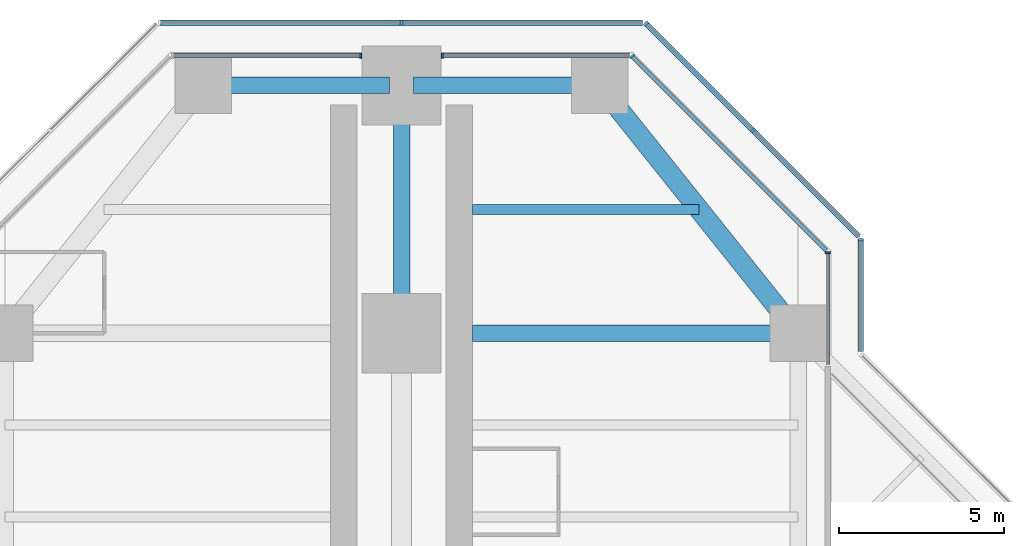
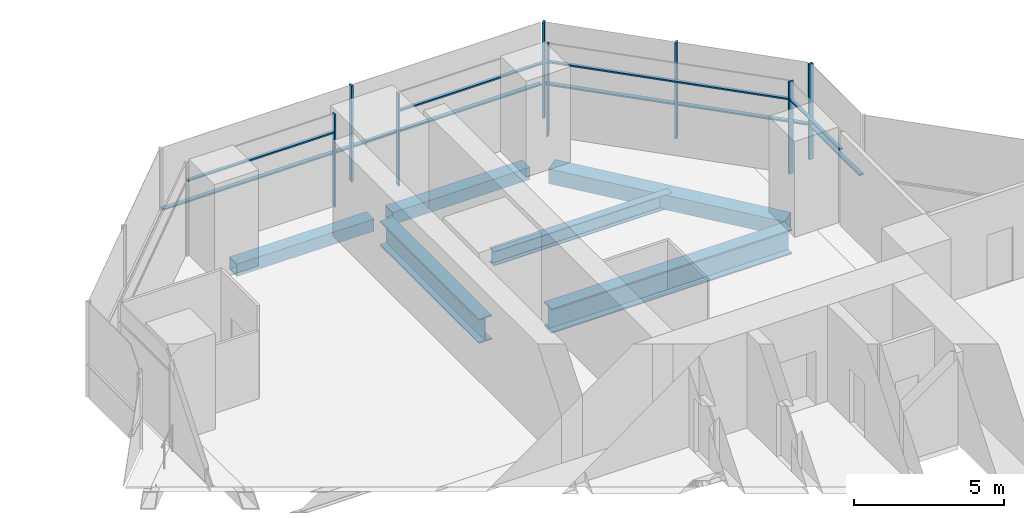
# One storey, part 10 of 20: 17 members, 6 beams, 7 elements without a shape of their own.
"""IFC4 building model written with IfcOpenShell, lengths in metres."""

import ifcopenshell
import ifcopenshell.guid

model = None  # the IFC model being written
_history = None  # IfcOwnerHistory: only IFC2X3 demands one
_inside = {}  # id of a spatial element -> (the spatial element, [elements in it])
_under = {}  # id of a project, library or spatial element -> (it, [spatial elements below it])
_declared = {}  # id of a project -> (the project, [libraries it declares])
_typed = {}  # id of a type object -> (the type object, [elements of that type])
_made_of = {}  # id of a material, layer set ... -> (it, [elements and type objects made of it])


def new_model(schema):
    """Start an empty IFC model of exactly this schema.

    Asked for "IFC4X3", IfcOpenShell would pick the latest addendum, in which some entities
    have other attributes; the version numbers below select the first issue.
    IFC2X3 requires an IfcOwnerHistory on every rooted entity: one is made here for all.
    """
    global model, _history
    if schema == "IFC4X3":
        model = ifcopenshell.file(schema_version=(4, 3, 0, 0))
    else:
        model = ifcopenshell.file(schema=schema)
    _inside.clear()
    _under.clear()
    _declared.clear()
    _typed.clear()
    _made_of.clear()
    _history = None
    if model.schema == "IFC2X3":
        org = make("IfcOrganization", Name="unknown")
        user = make(
            "IfcPersonAndOrganization",
            ThePerson=make("IfcPerson", FamilyName="unknown"),
            TheOrganization=org,
        )
        app = make(
            "IfcApplication",
            ApplicationDeveloper=org,
            Version="unknown",
            ApplicationFullName="unknown",
            ApplicationIdentifier="unknown",
        )
        _history = make(
            "IfcOwnerHistory",
            OwningUser=user,
            OwningApplication=app,
            ChangeAction="ADDED",
            CreationDate=0,
        )
    return model


def make(cls, **values):
    """One entity of the class cls with the attributes given. An attribute that is None is left unset."""
    return model.create_entity(
        cls, **{name: value for name, value in values.items() if value is not None}
    )


def rooted(cls, **values):
    """An entity with a GlobalId (a new one), such as an element, a storey or a relation."""
    return make(cls, GlobalId=ifcopenshell.guid.new(), OwnerHistory=_history, **values)


def si_unit(unit_type, name, prefix=None):
    """IfcSIUnit, for example si_unit("LENGTHUNIT", "METRE", prefix="MILLI")."""
    return make("IfcSIUnit", UnitType=unit_type, Prefix=prefix, Name=name)


def assignment(units):
    """IfcUnitAssignment: the units of a project."""
    return None if units is None else make("IfcUnitAssignment", Units=units)


def point(xyz):
    """IfcCartesianPoint."""
    return None if xyz is None else make("IfcCartesianPoint", Coordinates=xyz)


def direction(xyz):
    """IfcDirection."""
    return None if xyz is None else make("IfcDirection", DirectionRatios=xyz)


def frame(location, z_axis=None, x_axis=None):
    """IfcAxis2Placement3D, a coordinate frame: its origin and axes. An axis left out is left unset."""
    return make(
        "IfcAxis2Placement3D",
        Location=point(location),
        Axis=direction(z_axis),
        RefDirection=direction(x_axis),
    )


def frame_2d(location, x_axis=None):
    """IfcAxis2Placement2D, a coordinate frame in the plane: its origin and x axis."""
    return make(
        "IfcAxis2Placement2D", Location=point(location), RefDirection=direction(x_axis)
    )


def origin():
    """The frame at (0, 0, 0) with its axes left unset."""
    return frame((0.0, 0.0, 0.0))


def origin_2d():
    """The frame at (0, 0) in the plane with its x axis left unset."""
    return frame_2d((0.0, 0.0))


def place(relative_to, where):
    """IfcLocalPlacement: puts the frame where relative to a parent placement (None: the world)."""
    return make(
        "IfcLocalPlacement", PlacementRelTo=relative_to, RelativePlacement=where
    )


def context(
    kind, dimensions, precision=None, world=None, true_north=None, identifier=None
):
    """IfcGeometricRepresentationContext, for example the 3D "Model" context."""
    return make(
        "IfcGeometricRepresentationContext",
        ContextIdentifier=identifier,
        ContextType=kind,
        CoordinateSpaceDimension=dimensions,
        Precision=precision,
        WorldCoordinateSystem=world,
        TrueNorth=true_north,
    )


def subcontext(parent, identifier, kind, view, scale=None):
    """IfcGeometricRepresentationSubContext, for example "Body" below "Model"."""
    return make(
        "IfcGeometricRepresentationSubContext",
        ContextIdentifier=identifier,
        ContextType=kind,
        ParentContext=parent,
        TargetScale=scale,
        TargetView=view,
    )


def project(units=None, contexts=None):
    """IfcProject with its units and contexts."""
    return rooted(
        "IfcProject",
        Name="project",
        RepresentationContexts=contexts,
        UnitsInContext=assignment(units),
    )


def spatial(cls, under=None, at=None, **own):
    """A site, building, storey or space (cls), placed at a placement, below another one or the project."""
    s = rooted(cls, ObjectPlacement=at, **own)
    if under is not None:
        _under.setdefault(under.id(), (under, []))[1].append(s)
    return s


def profile(cls, at=None, kind="AREA", **sizes):
    """A parametric profile (cls). Its sizes go by their IFC names, for example OverallWidth=200.0."""
    return make(cls, ProfileType=kind, Position=at, **sizes)


def rectangle(**sizes):
    """IfcRectangleProfileDef."""
    return profile("IfcRectangleProfileDef", **sizes)


def hollow_rectangle(**sizes):
    """IfcRectangleHollowProfileDef."""
    return profile("IfcRectangleHollowProfileDef", **sizes)


def i_section(**sizes):
    """IfcIShapeProfileDef."""
    return profile("IfcIShapeProfileDef", **sizes)


def extrude(swept, where, along, depth):
    """IfcExtrudedAreaSolid: the profile swept, set in the frame where, extruded along a direction by depth."""
    return make(
        "IfcExtrudedAreaSolid",
        SweptArea=swept,
        Position=where,
        ExtrudedDirection=direction(along),
        Depth=depth,
    )


def shape(context_of_items, identifier, shape_type, items):
    """IfcShapeRepresentation: the items that make up one representation, for example the "Body"."""
    return make(
        "IfcShapeRepresentation",
        ContextOfItems=context_of_items,
        RepresentationIdentifier=identifier,
        RepresentationType=shape_type,
        Items=items,
    )


def material(Name=None, Category=None):
    """IfcMaterial."""
    return make("IfcMaterial", Name=Name, Category=Category)


def material_profile(
    of_material, cross_section, Name=None, Category=None, Priority=None
):
    """IfcMaterialProfile: a cross section and its material."""
    return make(
        "IfcMaterialProfile",
        Name=Name,
        Material=of_material,
        Profile=cross_section,
        Priority=Priority,
        Category=Category,
    )


def profile_set(profiles, Name=None, composite=None):
    """IfcMaterialProfileSet."""
    return make(
        "IfcMaterialProfileSet",
        Name=Name,
        MaterialProfiles=profiles,
        CompositeProfile=composite,
    )


def made_of(thing, what):
    """Note that an element or type object is made of a material, layer set ...; save() writes the relation."""
    if what is not None:
        _made_of.setdefault(what.id(), (what, []))[1].append(thing)
    return thing


def type_object(cls, material=None, **own):
    """A type object (cls), such as IfcWallType, which elements share."""
    return made_of(rooted(cls, **own), material)


def element(
    cls,
    number,
    at=None,
    inside=None,
    cuts=None,
    type_object=None,
    material=None,
    context=None,
    identifier="Body",
    shape_type=None,
    held_by="IfcProductDefinitionShape",
    body=None,
    shapes=None,
    **own,
):
    """One element of the class cls, such as IfcWall. Its Tag is "e" and its number.

    at: its placement. inside: the storey or other place that contains it. cuts: it is an
    opening in that element (IfcRelVoidsElement). A single representation is given by context,
    identifier, shape_type and body (its items); several are given by shapes. held_by: the class
    of the entity that holds the representations. save() writes the other relations.
    """
    e = rooted(cls, Tag="e%d" % number, ObjectPlacement=at, **own)
    if body is not None:
        shapes = [shape(context, identifier, shape_type, body)]
    if shapes is not None:
        e.Representation = make(held_by, Representations=shapes)
    if inside is not None:
        _inside.setdefault(inside.id(), (inside, []))[1].append(e)
    if cuts is not None:
        rooted(
            "IfcRelVoidsElement", RelatingBuildingElement=cuts, RelatedOpeningElement=e
        )
    if type_object is not None:
        _typed.setdefault(type_object.id(), (type_object, []))[1].append(e)
    return made_of(e, material)


def aggregate(whole, parts):
    """IfcRelAggregates: a whole, such as a stair, and the parts it consists of."""
    return rooted("IfcRelAggregates", RelatingObject=whole, RelatedObjects=parts)


def save(model, path):
    """Write the relations noted so far, then the file.

    IfcRelAggregates (storeys below a building ...), IfcRelContainedInSpatialStructure (elements
    in a storey), IfcRelDefinesByType, IfcRelAssociatesMaterial and IfcRelDeclares: one each for
    every whole, place, type object, material and project.
    """
    for whole, parts in _under.values():
        aggregate(whole, parts)
    for where, things in _inside.values():
        rooted(
            "IfcRelContainedInSpatialStructure",
            RelatedElements=things,
            RelatingStructure=where,
        )
    for kind, things in _typed.values():
        rooted("IfcRelDefinesByType", RelatedObjects=things, RelatingType=kind)
    for what, things in _made_of.values():
        rooted("IfcRelAssociatesMaterial", RelatedObjects=things, RelatingMaterial=what)
    for by, libraries in _declared.values():
        rooted("IfcRelDeclares", RelatingContext=by, RelatedDefinitions=libraries)
    model.write(path)


model = new_model("IFC4")

# Units and contexts
model_context = context("Model", 3, precision=1e-05, world=origin(), true_north=direction((0.0, 1.0)))
body_context = subcontext(model_context, "Body", "Model", "MODEL_VIEW")
ifc_project = project(units=[si_unit("LENGTHUNIT", "METRE"), si_unit("AREAUNIT", "SQUARE_METRE"), si_unit("VOLUMEUNIT", "CUBIC_METRE"), si_unit("PLANEANGLEUNIT", "RADIAN"), si_unit("MASSUNIT", "GRAM", prefix="KILO")], contexts=[model_context])

# Site, building, storey
site_placement = place(None, origin())
site = spatial("IfcSite", under=ifc_project, at=site_placement, CompositionType="ELEMENT")
building_placement = place(site_placement, origin())
building = spatial("IfcBuilding", under=site, at=building_placement, Name="Mizan Broadcast Tower", CompositionType="ELEMENT")
storey_placement = place(building_placement, frame((0.0, 0.0, 147.60009765625)))
storey = spatial("IfcBuildingStorey", under=building, at=storey_placement, Name="L33", CompositionType="ELEMENT", Elevation=147.60009765625)

# Beams
ifc_material_1 = material(Name="Steel S355", Category="steel")
ifc_material_profile_1 = material_profile(ifc_material_1, hollow_rectangle(XDim=0.5, YDim=0.5, WallThickness=0.030029296875, at=origin_2d()), Name="BOX 500x500x30")
ifc_profile_set_1 = profile_set([ifc_material_profile_1], Name="Steel S355")
beam_type_1 = type_object("IfcBeamType", Name="EDGE BEAM BOX 500x500x30", PredefinedType="SPANDREL", material=ifc_profile_set_1)
for number, where, z_axis, x_axis, name in (
    (1, (5.639892578125, 27.0, -0.380126953125), (-1.0, 0.0, 0.0), (0.0, -1.0, 0.0), "Edge beam BOX 500x500x30 L33 north arm"),
    (2, (-5.639892578125, 27.0, -0.380126953125), (1.0, 0.0, 0.0), (0.0, 1.0, 0.0), "Edge beam BOX 500x500x30 L33 north arm"),
):
    element("IfcBeam", number, at=place(storey_placement, frame(where, z_axis=z_axis, x_axis=x_axis)), inside=storey, type_object=beam_type_1, Name=name, PredefinedType="SPANDREL", context=body_context, shape_type="SweptSolid", body=[
        extrude(hollow_rectangle(XDim=0.5, YDim=0.5, WallThickness=0.030029296875, at=origin_2d()), origin(), (0.0, 0.0, 1.0), 5.27978515625),
    ])
ifc_material_2 = material(Name="Steel S355", Category="steel")
ifc_material_profile_2 = material_profile(ifc_material_2, hollow_rectangle(XDim=0.60009765625, YDim=0.60009765625, WallThickness=0.030029296875, at=origin_2d()), Name="BOX 600x600x30")
ifc_profile_set_2 = profile_set([ifc_material_profile_2], Name="Steel S355")
beam_type_2 = type_object("IfcBeamType", Name="EDGE BEAM BOX 600x600x30", PredefinedType="SPANDREL", material=ifc_profile_set_2)
beam_1_placement = place(storey_placement, frame((11.639892578125, 19.949951171875, -0.43017578125), z_axis=(-0.624673911726, 0.780885717636, 0.0), x_axis=(-0.780885717636, -0.624673911726, 0.0)))
element("IfcBeam", 3, at=beam_1_placement, inside=storey, type_object=beam_type_2, Name="Edge beam BOX 600x600x30 L33 north arm", PredefinedType="SPANDREL", context=body_context, shape_type="SweptSolid", body=[
    extrude(hollow_rectangle(XDim=0.60009765625, YDim=0.60009765625, WallThickness=0.030029296875, at=origin_2d()), origin(), (0.0, 0.0, 1.0), 8.4521484375),
])
ifc_material_3 = material(Name="Steel S460", Category="steel")
ifc_material_profile_3 = material_profile(ifc_material_3, i_section(OverallWidth=0.5, OverallDepth=1.0, WebThickness=0.02490234375, FlangeThickness=0.050048828125, at=origin_2d()), Name="WPG 1000x500")
ifc_profile_set_3 = profile_set([ifc_material_profile_3], Name="Steel S460")
beam_type_3 = type_object("IfcBeamType", Name="GIRDER WPG 1000x500", PredefinedType="BEAM", material=ifc_profile_set_3)
beam_2_placement = place(storey_placement, frame((0.0, 19.949951171875, -0.630126953125), z_axis=(0.0, 1.0, 0.0), x_axis=(-1.0, 0.0, 0.0)))
element("IfcBeam", 4, at=beam_2_placement, inside=storey, type_object=beam_type_3, Name="Girder WPG 1000x500 L33 north arm", PredefinedType="BEAM", context=body_context, shape_type="SweptSolid", body=[
    extrude(i_section(OverallWidth=0.5, OverallDepth=1.0, WebThickness=0.02490234375, FlangeThickness=0.050048828125, at=origin_2d()), origin(), (0.0, 0.0, 1.0), 6.60009765625),
])
beam_3_placement = place(storey_placement, frame((11.408935546875, 19.5, -0.630126953125), z_axis=(-1.0, 0.0, 0.0), x_axis=(0.0, -1.0, 0.0)))
element("IfcBeam", 5, at=beam_3_placement, inside=storey, type_object=beam_type_3, Name="Girder WPG 1000x500 L33 north arm", PredefinedType="BEAM", context=body_context, shape_type="SweptSolid", body=[
    extrude(i_section(OverallWidth=0.5, OverallDepth=1.0, WebThickness=0.02490234375, FlangeThickness=0.050048828125, at=origin_2d()), origin(), (0.0, 0.0, 1.0), 9.259033203125),
])

# Curtain wall, member
ifc_material_4 = material(Name="Aluminium framed glazing", Category="aluminium")
curtain_wall_type_1 = type_object("IfcCurtainWallType", Name="INNER SKIN MID ZONE", PredefinedType="USERDEFINED", material=ifc_material_4)
curtain_wall_1_placement = place(storey_placement, origin())
curtain_wall_1 = element("IfcCurtainWall", 6, at=curtain_wall_1_placement, inside=storey, type_object=curtain_wall_type_1, Name="Inner skin mid zone L33 N side", ObjectType="INNER SKIN MID ZONE", PredefinedType="USERDEFINED")
ifc_material_5 = material(Name="Aluminium, pale anodised", Category="aluminium")
ifc_material_profile_4 = material_profile(ifc_material_5, rectangle(XDim=0.159912109375, YDim=0.06005859375, at=origin_2d()), Name="MULLION 160x60")
ifc_profile_set_4 = profile_set([ifc_material_profile_4], Name="Aluminium, pale anodised")
member_type_1 = type_object("IfcMemberType", Name="INNER SKIN MULLION 60x160", PredefinedType="MULLION", material=ifc_profile_set_4)
member_1_placement = place(storey_placement, frame((12.89990234375, 21.928466796875, 0.0), z_axis=(0.0, 0.0, 1.0), x_axis=(-1.0, 0.0, 0.0)))
member_1 = element("IfcMember", 7, at=member_1_placement, type_object=member_type_1, Name="Inner skin mid zone L33 N side mullion 2", PredefinedType="MULLION", context=body_context, shape_type="SweptSolid", body=[
    extrude(rectangle(XDim=0.159912109375, YDim=0.06005859375, at=origin_2d()), origin(), (0.0, 0.0, 1.0), 3.77001953125),
])

curtain_wall_2_placement = place(storey_placement, origin())
curtain_wall_2 = element("IfcCurtainWall", 8, at=curtain_wall_2_placement, inside=storey, type_object=curtain_wall_type_1, Name="Inner skin mid zone L33 N chamfer", ObjectType="INNER SKIN MID ZONE", PredefinedType="USERDEFINED")
member_2_placement = place(storey_placement, frame((6.979736328125, 27.87890625, 0.0), z_axis=(0.0, 0.0, 1.0), x_axis=(-0.707106781187, -0.707106781187, 0.0)))
member_2 = element("IfcMember", 9, at=member_2_placement, type_object=member_type_1, Name="Inner skin mid zone L33 N chamfer mullion 2", PredefinedType="MULLION", context=body_context, shape_type="SweptSolid", body=[
    extrude(rectangle(XDim=0.159912109375, YDim=0.06005859375, at=origin_2d()), origin(), (0.0, 0.0, 1.0), 3.77001953125),
])

curtain_wall_3_placement = place(storey_placement, origin())
curtain_wall_3 = element("IfcCurtainWall", 10, at=curtain_wall_3_placement, inside=storey, type_object=curtain_wall_type_1, Name="Inner skin mid zone L33 N end", ObjectType="INNER SKIN MID ZONE", PredefinedType="USERDEFINED")
member_3_placement = place(storey_placement, frame((1.22998046875, 27.89990234375, 0.0), z_axis=(0.0, 0.0, 1.0), x_axis=(0.0, -1.0, 0.0)))
member_3 = element("IfcMember", 11, at=member_3_placement, type_object=member_type_1, Name="Inner skin mid zone L33 N end mullion 2", PredefinedType="MULLION", context=body_context, shape_type="SweptSolid", body=[
    extrude(rectangle(XDim=0.159912109375, YDim=0.06005859375, at=origin_2d()), origin(), (0.0, 0.0, 1.0), 3.77001953125),
])

curtain_wall_4_placement = place(storey_placement, origin())
curtain_wall_4 = element("IfcCurtainWall", 12, at=curtain_wall_4_placement, inside=storey, type_object=curtain_wall_type_1, Name="Inner skin mid zone L33 N end", ObjectType="INNER SKIN MID ZONE", PredefinedType="USERDEFINED")
member_4_placement = place(storey_placement, frame((-1.22998046875, 27.89990234375, 0.0), z_axis=(0.0, 0.0, 1.0), x_axis=(0.0, -1.0, 0.0)))
member_4 = element("IfcMember", 13, at=member_4_placement, type_object=member_type_1, Name="Inner skin mid zone L33 N end mullion 1", PredefinedType="MULLION", context=body_context, shape_type="SweptSolid", body=[
    extrude(rectangle(XDim=0.159912109375, YDim=0.06005859375, at=origin_2d()), origin(), (0.0, 0.0, 1.0), 3.77001953125),
])

# Member
ifc_material_6 = material(Name="Aluminium, pale anodised", Category="aluminium")
ifc_material_profile_5 = material_profile(ifc_material_6, rectangle(XDim=0.1201171875, YDim=0.06005859375, at=origin_2d()), Name="TRANSOM 120x60")
ifc_profile_set_5 = profile_set([ifc_material_profile_5], Name="Aluminium, pale anodised")
member_type_2 = type_object("IfcMemberType", Name="INNER SKIN TRANSOM 60x120", PredefinedType="USERDEFINED", material=ifc_profile_set_5)
member_5_placement = place(storey_placement, frame((12.89990234375, 18.56005859375, 3.02978515625), z_axis=(0.0, 1.0, 0.0), x_axis=(-1.0, 0.0, 0.0)))
member_5 = element("IfcMember", 14, at=member_5_placement, type_object=member_type_2, Name="Inner skin mid zone L33 N side transom 1.1", ObjectType="TRANSOM", PredefinedType="USERDEFINED", context=body_context, shape_type="SweptSolid", body=[
    extrude(rectangle(XDim=0.1201171875, YDim=0.06005859375, at=origin_2d()), origin(), (0.0, 0.0, 1.0), 3.338623046875),
])

aggregate(curtain_wall_1, [member_1, member_5])

member_6_placement = place(storey_placement, frame((12.857666015625, 22.0009765625, 3.02978515625), z_axis=(-0.707106781187, 0.707106781187, 0.0), x_axis=(-0.707106781187, -0.707106781187, 0.0)))
member_6 = element("IfcMember", 15, at=member_6_placement, type_object=member_type_2, Name="Inner skin mid zone L33 N chamfer transom 1.1", ObjectType="TRANSOM", PredefinedType="USERDEFINED", context=body_context, shape_type="SweptSolid", body=[
    extrude(rectangle(XDim=0.1201171875, YDim=0.06005859375, at=origin_2d()), origin(), (0.0, 0.0, 1.0), 8.28271484375),
])

aggregate(curtain_wall_2, [member_2, member_6])

member_7_placement = place(storey_placement, frame((6.898681640625, 27.89990234375, 3.02978515625), z_axis=(-1.0, 0.0, 0.0), x_axis=(0.0, -1.0, 0.0)))
member_7 = element("IfcMember", 16, at=member_7_placement, type_object=member_type_2, Name="Inner skin mid zone L33 N end transom 1.1", ObjectType="TRANSOM", PredefinedType="USERDEFINED", context=body_context, shape_type="SweptSolid", body=[
    extrude(rectangle(XDim=0.1201171875, YDim=0.06005859375, at=origin_2d()), origin(), (0.0, 0.0, 1.0), 5.638671875),
])

aggregate(curtain_wall_3, [member_3, member_7])

member_8_placement = place(storey_placement, frame((-1.260009765625, 27.89990234375, 3.02978515625), z_axis=(-1.0, 0.0, 0.0), x_axis=(0.0, -1.0, 0.0)))
member_8 = element("IfcMember", 17, at=member_8_placement, type_object=member_type_2, Name="Inner skin mid zone L33 N end transom 1.1", ObjectType="TRANSOM", PredefinedType="USERDEFINED", context=body_context, shape_type="SweptSolid", body=[
    extrude(rectangle(XDim=0.1201171875, YDim=0.06005859375, at=origin_2d()), origin(), (0.0, 0.0, 1.0), 5.638671875),
])

aggregate(curtain_wall_4, [member_4, member_8])

# Curtain wall, member
ifc_material_7 = material(Name="Aluminium framed glazing", Category="aluminium")
curtain_wall_type_2 = type_object("IfcCurtainWallType", Name="OUTER SKIN", PredefinedType="USERDEFINED", material=ifc_material_7)
curtain_wall_5_placement = place(storey_placement, origin())
curtain_wall_5 = element("IfcCurtainWall", 18, at=curtain_wall_5_placement, inside=storey, type_object=curtain_wall_type_2, Name="Outer skin L33 N side", ObjectType="OUTER SKIN", PredefinedType="USERDEFINED")
ifc_material_8 = material(Name="Aluminium, pale anodised", Category="aluminium")
ifc_material_profile_6 = material_profile(ifc_material_8, rectangle(XDim=0.159912109375, YDim=0.080078125, at=origin_2d()), Name="MULLION 160x80")
ifc_profile_set_6 = profile_set([ifc_material_profile_6], Name="Aluminium, pale anodised")
member_type_3 = type_object("IfcMemberType", Name="OUTER SKIN MULLION 80x160", PredefinedType="MULLION", material=ifc_profile_set_6)
member_9_placement = place(storey_placement, frame((13.89990234375, 22.332763671875, 0.0), z_axis=(0.0, 0.0, 1.0), x_axis=(-1.0, 0.0, 0.0)))
member_9 = element("IfcMember", 19, at=member_9_placement, type_object=member_type_3, Name="Outer skin L33 N side mullion 2", PredefinedType="MULLION", context=body_context, shape_type="SweptSolid", body=[
    extrude(rectangle(XDim=0.159912109375, YDim=0.080078125, at=origin_2d()), origin(), (0.0, 0.0, 1.0), 3.89990234375),
])

# Curtain wall, members
curtain_wall_6_placement = place(storey_placement, origin())
curtain_wall_6 = element("IfcCurtainWall", 20, at=curtain_wall_6_placement, inside=storey, type_object=curtain_wall_type_2, Name="Outer skin L33 N chamfer", ObjectType="OUTER SKIN", PredefinedType="USERDEFINED")
member_10_placement = place(storey_placement, frame((10.636474609375, 25.636474609375, 0.0), z_axis=(0.0, 0.0, 1.0), x_axis=(-0.707106781187, -0.707106781187, 0.0)))
member_10 = element("IfcMember", 21, at=member_10_placement, type_object=member_type_3, Name="Outer skin L33 N chamfer mullion 2", PredefinedType="MULLION", context=body_context, shape_type="SweptSolid", body=[
    extrude(rectangle(XDim=0.159912109375, YDim=0.080078125, at=origin_2d()), origin(), (0.0, 0.0, 1.0), 3.89990234375),
])
member_11_placement = place(storey_placement, frame((7.401123046875, 28.871826171875, 0.0), z_axis=(0.0, 0.0, 1.0), x_axis=(-0.707106781187, -0.707106781187, 0.0)))
member_11 = element("IfcMember", 22, at=member_11_placement, type_object=member_type_3, Name="Outer skin L33 N chamfer mullion 3", PredefinedType="MULLION", context=body_context, shape_type="SweptSolid", body=[
    extrude(rectangle(XDim=0.159912109375, YDim=0.080078125, at=origin_2d()), origin(), (0.0, 0.0, 1.0), 3.89990234375),
])

# Curtain wall, member
curtain_wall_7_placement = place(storey_placement, origin())
curtain_wall_7 = element("IfcCurtainWall", 23, at=curtain_wall_7_placement, inside=storey, type_object=curtain_wall_type_2, Name="Outer skin L33 N end", ObjectType="OUTER SKIN", PredefinedType="USERDEFINED")
member_12_placement = place(storey_placement, frame((0.0, 28.89990234375, 0.0), z_axis=(0.0, 0.0, 1.0), x_axis=(0.0, -1.0, 0.0)))
member_12 = element("IfcMember", 24, at=member_12_placement, type_object=member_type_3, Name="Outer skin L33 N end mullion 2", PredefinedType="MULLION", context=body_context, shape_type="SweptSolid", body=[
    extrude(rectangle(XDim=0.159912109375, YDim=0.080078125, at=origin_2d()), origin(), (0.0, 0.0, 1.0), 3.89990234375),
])

# Member
ifc_material_9 = material(Name="Aluminium, pale anodised", Category="aluminium")
ifc_material_profile_7 = material_profile(ifc_material_9, rectangle(XDim=0.159912109375, YDim=0.06005859375, at=origin_2d()), Name="TRANSOM 160x60")
ifc_profile_set_7 = profile_set([ifc_material_profile_7], Name="Aluminium, pale anodised")
member_type_4 = type_object("IfcMemberType", Name="OUTER SKIN TRANSOM 60x160", PredefinedType="USERDEFINED", material=ifc_profile_set_7)
member_13_placement = place(storey_placement, frame((13.89990234375, 18.952880859375, 1.39990234375), z_axis=(0.0, 1.0, 0.0), x_axis=(-1.0, 0.0, 0.0)))
member_13 = element("IfcMember", 25, at=member_13_placement, type_object=member_type_4, Name="Outer skin L33 N side transom 1.1", ObjectType="TRANSOM", PredefinedType="USERDEFINED", context=body_context, shape_type="SweptSolid", body=[
    extrude(rectangle(XDim=0.159912109375, YDim=0.06005859375, at=origin_2d()), origin(), (0.0, 0.0, 1.0), 3.33984375),
])

aggregate(curtain_wall_5, [member_9, member_13])

member_14_placement = place(storey_placement, frame((13.843505859375, 22.429443359375, 1.39990234375), z_axis=(-0.707106781187, 0.707106781187, 0.0), x_axis=(-0.707106781187, -0.707106781187, 0.0)))
member_14 = element("IfcMember", 26, at=member_14_placement, type_object=member_type_4, Name="Outer skin L33 N chamfer transom 1.1", ObjectType="TRANSOM", PredefinedType="USERDEFINED", context=body_context, shape_type="SweptSolid", body=[
    extrude(rectangle(XDim=0.159912109375, YDim=0.06005859375, at=origin_2d()), origin(), (0.0, 0.0, 1.0), 4.495361328125),
])

member_15_placement = place(storey_placement, frame((10.608154296875, 25.664794921875, 1.39990234375), z_axis=(-0.707106781187, 0.707106781187, 0.0), x_axis=(-0.707106781187, -0.707106781187, 0.0)))
member_15 = element("IfcMember", 27, at=member_15_placement, type_object=member_type_4, Name="Outer skin L33 N chamfer transom 2.1", ObjectType="TRANSOM", PredefinedType="USERDEFINED", context=body_context, shape_type="SweptSolid", body=[
    extrude(rectangle(XDim=0.159912109375, YDim=0.06005859375, at=origin_2d()), origin(), (0.0, 0.0, 1.0), 4.495361328125),
])

aggregate(curtain_wall_6, [member_10, member_11, member_14, member_15])

member_16_placement = place(storey_placement, frame((7.292724609375, 28.89990234375, 1.39990234375), z_axis=(-1.0, 0.0, 0.0), x_axis=(0.0, -1.0, 0.0)))
member_16 = element("IfcMember", 28, at=member_16_placement, type_object=member_type_4, Name="Outer skin L33 N end transom 1.1", ObjectType="TRANSOM", PredefinedType="USERDEFINED", context=body_context, shape_type="SweptSolid", body=[
    extrude(rectangle(XDim=0.159912109375, YDim=0.06005859375, at=origin_2d()), origin(), (0.0, 0.0, 1.0), 7.252685546875),
])

member_17_placement = place(storey_placement, frame((-0.0400390625, 28.89990234375, 1.39990234375), z_axis=(-1.0, 0.0, 0.0), x_axis=(0.0, -1.0, 0.0)))
member_17 = element("IfcMember", 29, at=member_17_placement, type_object=member_type_4, Name="Outer skin L33 N end transom 2.1", ObjectType="TRANSOM", PredefinedType="USERDEFINED", context=body_context, shape_type="SweptSolid", body=[
    extrude(rectangle(XDim=0.159912109375, YDim=0.06005859375, at=origin_2d()), origin(), (0.0, 0.0, 1.0), 7.252685546875),
])

aggregate(curtain_wall_7, [member_12, member_16, member_17])

# Beam
ifc_material_10 = material(Name="Steel S355", Category="steel")
ifc_material_profile_8 = material_profile(ifc_material_10, i_section(OverallWidth=0.300048828125, OverallDepth=0.590087890625, WebThickness=0.012939453125, FlangeThickness=0.02490234375, FilletRadius=0.027099609375, at=origin_2d()), Name="HEA 600")
ifc_profile_set_8 = profile_set([ifc_material_profile_8], Name="Steel S355")
beam_type_4 = type_object("IfcBeamType", Name="SECONDARY BEAM HEA 600", PredefinedType="JOIST", material=ifc_profile_set_8)
beam_4_placement = place(storey_placement, frame((9.0, 23.25, -0.425048828125), z_axis=(-1.0, 0.0, 0.0), x_axis=(0.0, -1.0, 0.0)))
element("IfcBeam", 30, at=beam_4_placement, inside=storey, type_object=beam_type_4, Name="Secondary beam HEA 600 L33 north arm", PredefinedType="JOIST", context=body_context, shape_type="SweptSolid", body=[
    extrude(i_section(OverallWidth=0.300048828125, OverallDepth=0.590087890625, WebThickness=0.012939453125, FlangeThickness=0.02490234375, FilletRadius=0.027099609375, at=origin_2d()), origin(), (0.0, 0.0, 1.0), 6.85009765625),
])

save(model, "model.ifc")
